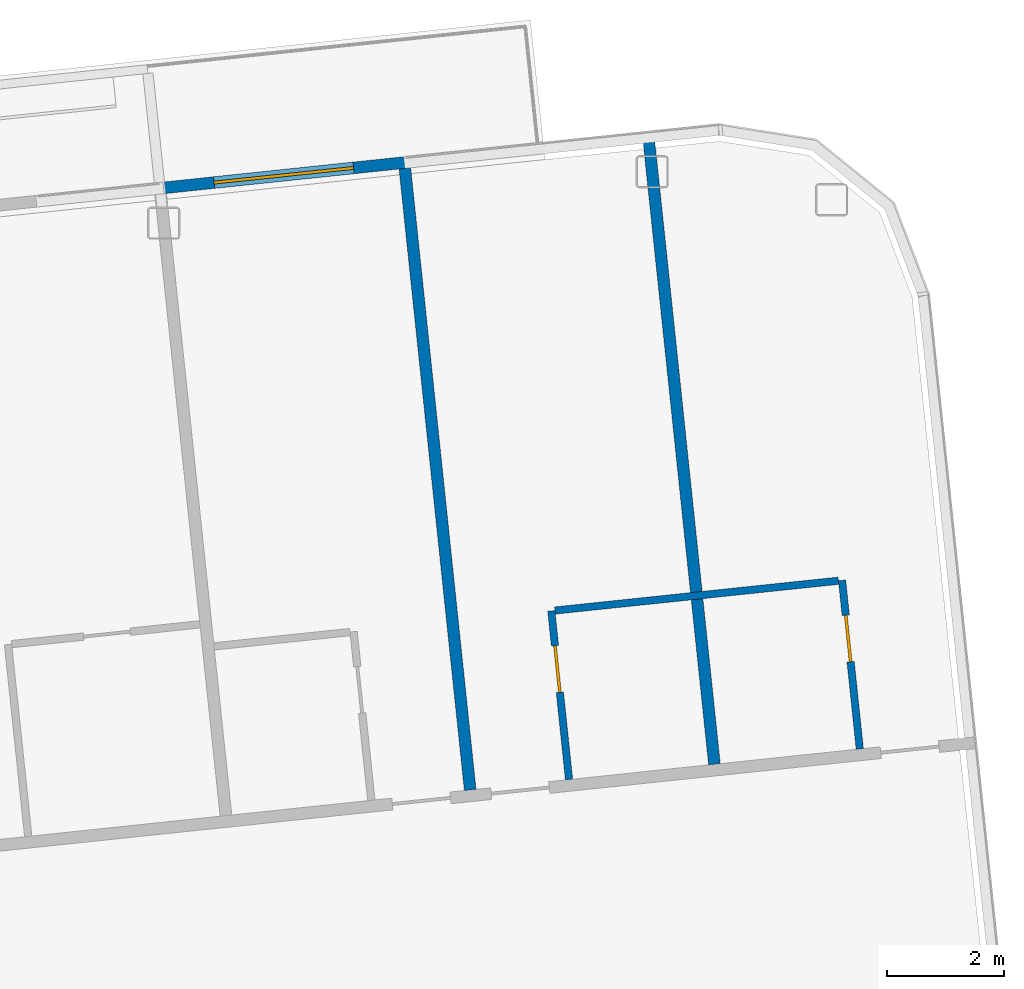
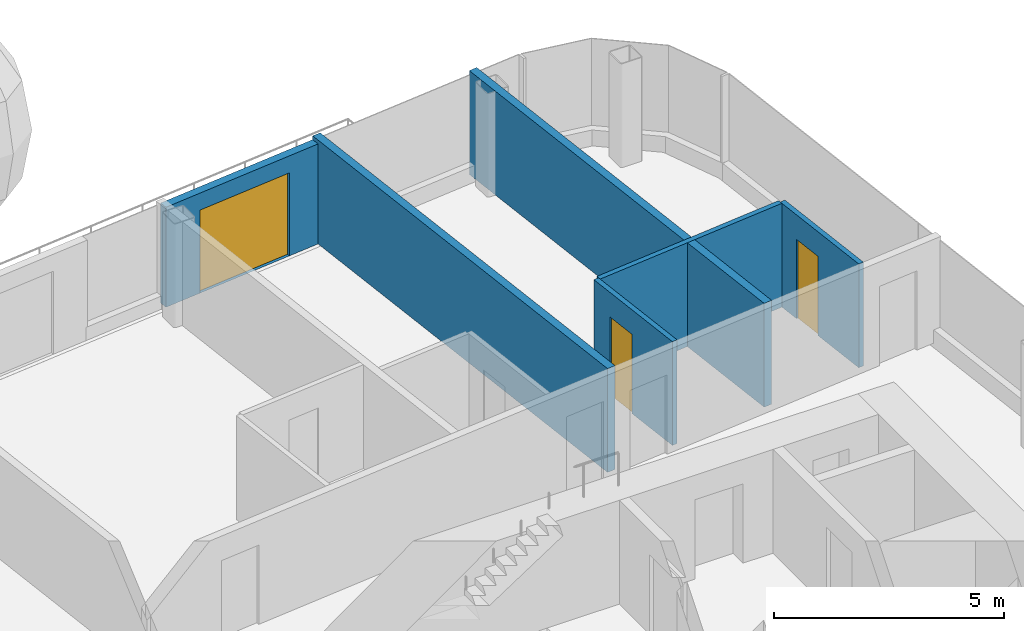
# One storey, part 17 of 30: 6 walls, 3 doors, 3 openings, 1 element without a shape of its own.
"""IFC4 building model written with IfcOpenShell, lengths in metres."""

from ifc_helpers import new_model, si_unit, direction, frame, frame_2d, origin, place, context, subcontext, project, spatial, rectangle, extrude, material, layer, layer_set, type_object, element, fill, aggregate, save


model = new_model("IFC4")

# Units and contexts
model_context = context("Model", 3, precision=1e-05, world=origin(), true_north=direction((0.0, 1.0)))
body_context = subcontext(model_context, "Body", "Model", "MODEL_VIEW")
ifc_project = project(units=[si_unit("LENGTHUNIT", "METRE"), si_unit("AREAUNIT", "SQUARE_METRE"), si_unit("VOLUMEUNIT", "CUBIC_METRE"), si_unit("PLANEANGLEUNIT", "RADIAN"), si_unit("MASSUNIT", "GRAM", prefix="KILO")], contexts=[model_context])

# Site, building, storey
site_placement = place(None, origin())
site = spatial("IfcSite", under=ifc_project, at=site_placement, CompositionType="ELEMENT")
building_placement = place(site_placement, origin())
building = spatial("IfcBuilding", under=site, at=building_placement, Name="Hakoniwa Tower and Hamabe Station Hall", CompositionType="ELEMENT")
storey_placement = place(building_placement, frame((0.0, 0.0, 245.39990234375)))
storey = spatial("IfcBuildingStorey", under=building, at=storey_placement, Name="L69", CompositionType="ELEMENT", Elevation=245.39990234375)

# Wall
ifc_material_1 = material(Name="Gypsum board partition", Category="gypsum")
ifc_layer_1 = layer(ifc_material_1, 0.125)
ifc_layer_set_1 = layer_set([ifc_layer_1], Name="Bathroom Partition 125")
wall_type_1 = type_object("IfcWallType", Name="Bathroom Partition 125", PredefinedType="PARTITIONING", material=ifc_layer_set_1)
wall_1_placement = place(storey_placement, frame((30.0185546875, 15.01806640625, 0.0), z_axis=(0.0, 0.0, 1.0), x_axis=(0.994522727842, 0.104520542502, 0.0)))
element("IfcWall", 1, at=wall_1_placement, inside=storey, type_object=wall_type_1, Name="GW-L69-015", PredefinedType="PARTITIONING", context=body_context, shape_type="SweptSolid", body=[
    extrude(rectangle(XDim=4.874755859375, YDim=0.125, at=frame_2d((2.4375, 0.0))), origin(), (0.0, 0.0, 1.0), 2.75),
])

# Wall, opening, door
wall_2_placement = place(storey_placement, frame((30.259521484375, 12.127197265625, 0.0), z_axis=(0.0, 0.0, 1.0), x_axis=(-0.10455332221, 0.994519282274, 0.0)))
wall_2 = element("IfcWall", 2, at=wall_2_placement, inside=storey, type_object=wall_type_1, Name="GW-L69-060", PredefinedType="PARTITIONING", context=body_context, shape_type="SweptSolid", body=[
    extrude(rectangle(XDim=2.900146484375, YDim=0.125, at=frame_2d((1.4501953125, 0.0))), origin(), (0.0, 0.0, 1.0), 2.75),
])
opening_1_placement = place(wall_2_placement, frame((1.5, 0.0, 0.0)))
opening_1 = element("IfcOpeningElement", 3, at=opening_1_placement, cuts=wall_2, Name="Opening GD-G5C0-41", PredefinedType="OPENING", context=body_context, shape_type="SweptSolid", body=[
    extrude(rectangle(XDim=0.800048828125, YDim=2.10009765625, at=frame_2d((0.39990234375, 1.050048828125))), frame((0.0, 0.072509765625, 0.0), z_axis=(0.0, -1.0, 0.0), x_axis=(1.0, 0.0, 0.0)), (0.0, 0.0, 1.0), 0.14501953125),
])
ifc_material_2 = material(Name="Timber door leaf", Category="wood")
door_type_1 = type_object("IfcDoorType", Name="Bathroom Door 800", OperationType="SINGLE_SWING_LEFT", PredefinedType="DOOR", material=ifc_material_2)
door_1_placement = place(opening_1_placement, origin())
door_1 = element("IfcDoor", 4, at=door_1_placement, inside=storey, type_object=door_type_1, Name="Door GD-G5C0-41", OperationType="SINGLE_SWING_RIGHT", OverallHeight=2.10009765625, OverallWidth=0.800048828125, PredefinedType="DOOR", context=body_context, shape_type="SweptSolid", body=[
    extrude(rectangle(XDim=0.800048828125, YDim=2.10009765625, at=frame_2d((0.39990234375, 1.050048828125))), frame((0.0, 0.02490234375, 0.0), z_axis=(0.0, -1.0, 0.0), x_axis=(1.0, 0.0, 0.0)), (0.0, 0.0, 1.0), 0.050048828125),
])
fill(opening_1, door_1)

wall_3_placement = place(storey_placement, frame((35.23193359375, 12.64990234375, 0.0), z_axis=(0.0, 0.0, 1.0), x_axis=(-0.104470059912, 0.994528032074, 0.0)))
wall_3 = element("IfcWall", 5, at=wall_3_placement, inside=storey, type_object=wall_type_1, Name="GW-L69-063", PredefinedType="PARTITIONING", context=body_context, shape_type="SweptSolid", body=[
    extrude(rectangle(XDim=2.900146484375, YDim=0.125, at=frame_2d((1.4501953125, 0.0))), origin(), (0.0, 0.0, 1.0), 2.75),
])
opening_2_placement = place(wall_3_placement, frame((1.5, 0.0, 0.0)))
opening_2 = element("IfcOpeningElement", 6, at=opening_2_placement, cuts=wall_3, Name="Opening GD-G5C0-42", PredefinedType="OPENING", context=body_context, shape_type="SweptSolid", body=[
    extrude(rectangle(XDim=0.800048828125, YDim=2.10009765625, at=frame_2d((0.39990234375, 1.050048828125))), frame((0.0, 0.072509765625, 0.0), z_axis=(0.0, -1.0, 0.0), x_axis=(1.0, 0.0, 0.0)), (0.0, 0.0, 1.0), 0.14501953125),
])
door_2_placement = place(opening_2_placement, origin())
door_2 = element("IfcDoor", 7, at=door_2_placement, inside=storey, type_object=door_type_1, Name="Door GD-G5C0-42", OperationType="SINGLE_SWING_LEFT", OverallHeight=2.10009765625, OverallWidth=0.800048828125, PredefinedType="DOOR", context=body_context, shape_type="SweptSolid", body=[
    extrude(rectangle(XDim=0.800048828125, YDim=2.10009765625, at=frame_2d((0.39990234375, 1.050048828125))), frame((0.0, 0.02490234375, 0.0), z_axis=(0.0, -1.0, 0.0), x_axis=(1.0, 0.0, 0.0)), (0.0, 0.0, 1.0), 0.050048828125),
])
fill(opening_2, door_2)

# Curtain wall, wall, opening, door
ifc_material_3 = material(Name="Dark low-e laminated glass", Category="glass")
ifc_layer_2 = layer(ifc_material_3, 0.199951171875)
ifc_layer_set_2 = layer_set([ifc_layer_2], Name="CW-1 UNITISED GUEST")
curtain_wall_type = type_object("IfcCurtainWallType", Name="CW-1 UNITISED GUEST", PredefinedType="NOTDEFINED", material=ifc_layer_set_2)
curtain_wall_placement = place(storey_placement, origin())
curtain_wall = element("IfcCurtainWall", 8, at=curtain_wall_placement, inside=storey, type_object=curtain_wall_type, Name="CW-1 curtain wall", PredefinedType="NOTDEFINED")
ifc_material_4 = material(Name="Dark glass-faced aluminium panel", Category="aluminium")
ifc_layer_3 = layer(ifc_material_4, 0.199951171875)
ifc_layer_set_3 = layer_set([ifc_layer_3], Name="DOOR BAY WALL")
wall_type_2 = type_object("IfcWallType", Name="DOOR BAY WALL", PredefinedType="NOTDEFINED", material=ifc_layer_set_3)
wall_4_placement = place(storey_placement, frame((27.480712890625, 22.68310546875, 0.0), z_axis=(0.0, 0.0, 1.0), x_axis=(-0.994520342386, -0.104543237853, 0.0)))
wall_4 = element("IfcWall", 9, at=wall_4_placement, type_object=wall_type_2, Name="Door bay wall", PredefinedType="NOTDEFINED", context=body_context, shape_type="SweptSolid", body=[
    extrude(rectangle(XDim=4.219970703125, YDim=0.199951171875, at=frame_2d((2.10986328125, 0.0))), origin(), (0.0, 0.0, 1.0), 2.650146484375),
])
opening_3_placement = place(wall_4_placement, frame((0.909912109375, 0.0, 0.0)))
opening_3 = element("IfcOpeningElement", 10, at=opening_3_placement, cuts=wall_4, Name="Opening BD-N03-6", PredefinedType="OPENING", context=body_context, shape_type="SweptSolid", body=[
    extrude(rectangle(XDim=2.39990234375, YDim=2.199951171875, at=frame_2d((1.199951171875, 1.10009765625))), frame((0.0, 0.10986328125, 0.0), z_axis=(0.0, -1.0, 0.0), x_axis=(1.0, 0.0, 0.0)), (0.0, 0.0, 1.0), 0.219970703125),
])
ifc_material_5 = material(Name="Dark low-e laminated glass", Category="glass")
door_type_2 = type_object("IfcDoorType", Name="BALCONY SLIDING DOOR 2400X2200", OperationType="SLIDING_TO_LEFT", PredefinedType="DOOR", material=ifc_material_5)
door_3_placement = place(opening_3_placement, frame((2.39990234375, 0.0, 0.0), z_axis=(0.0, 0.0, 1.0), x_axis=(-1.0, 0.0, 0.0)))
door_3 = element("IfcDoor", 11, at=door_3_placement, inside=storey, type_object=door_type_2, Name="Balcony sliding door", OperationType="SLIDING_TO_LEFT", OverallHeight=2.199951171875, OverallWidth=2.39990234375, PredefinedType="DOOR", context=body_context, shape_type="SweptSolid", body=[
    extrude(rectangle(XDim=2.39990234375, YDim=2.199951171875, at=frame_2d((1.199951171875, 1.10009765625))), frame((0.0, 0.02490234375, 0.0), z_axis=(0.0, -1.0, 0.0), x_axis=(1.0, 0.0, 0.0)), (0.0, 0.0, 1.0), 0.050048828125),
])
fill(opening_3, door_3)
aggregate(curtain_wall, [wall_4])

# Walls
ifc_material_6 = material(Name="Fire-rated gypsum board partition", Category="gypsum")
ifc_layer_4 = layer(ifc_material_6, 0.199951171875)
ifc_layer_set_4 = layer_set([ifc_layer_4], Name="Party Wall 200")
wall_type_3 = type_object("IfcWallType", Name="Party Wall 200", PredefinedType="PARTITIONING", material=ifc_layer_set_4)
for number, where, z_axis, x_axis, name in (
    (12, (28.56884765625, 11.94970703125, 0.0), (0.0, 0.0, 1.0), (-0.104533048416, 0.994521413439, 0.0), "GW-L69-059"),
    (13, (32.745849609375, 12.388671875, 0.0), (0.0, 0.0, 1.0), (-0.104533048416, 0.994521413439, 0.0), "GW-L69-062"),
):
    element("IfcWall", number, at=place(storey_placement, frame(where, z_axis=z_axis, x_axis=x_axis)), inside=storey, type_object=wall_type_3, Name=name, PredefinedType="PARTITIONING", context=body_context, shape_type="SweptSolid", body=[
        extrude(rectangle(XDim=10.88818359375, YDim=0.199951171875, at=frame_2d((5.444091796875, 0.0))), origin(), (0.0, 0.0, 1.0), 2.75),
    ])

save(model, "model.ifc")
